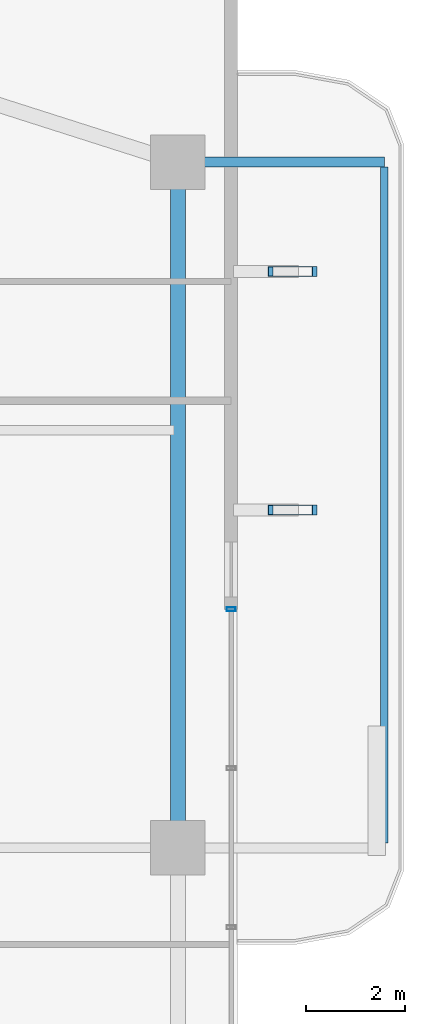
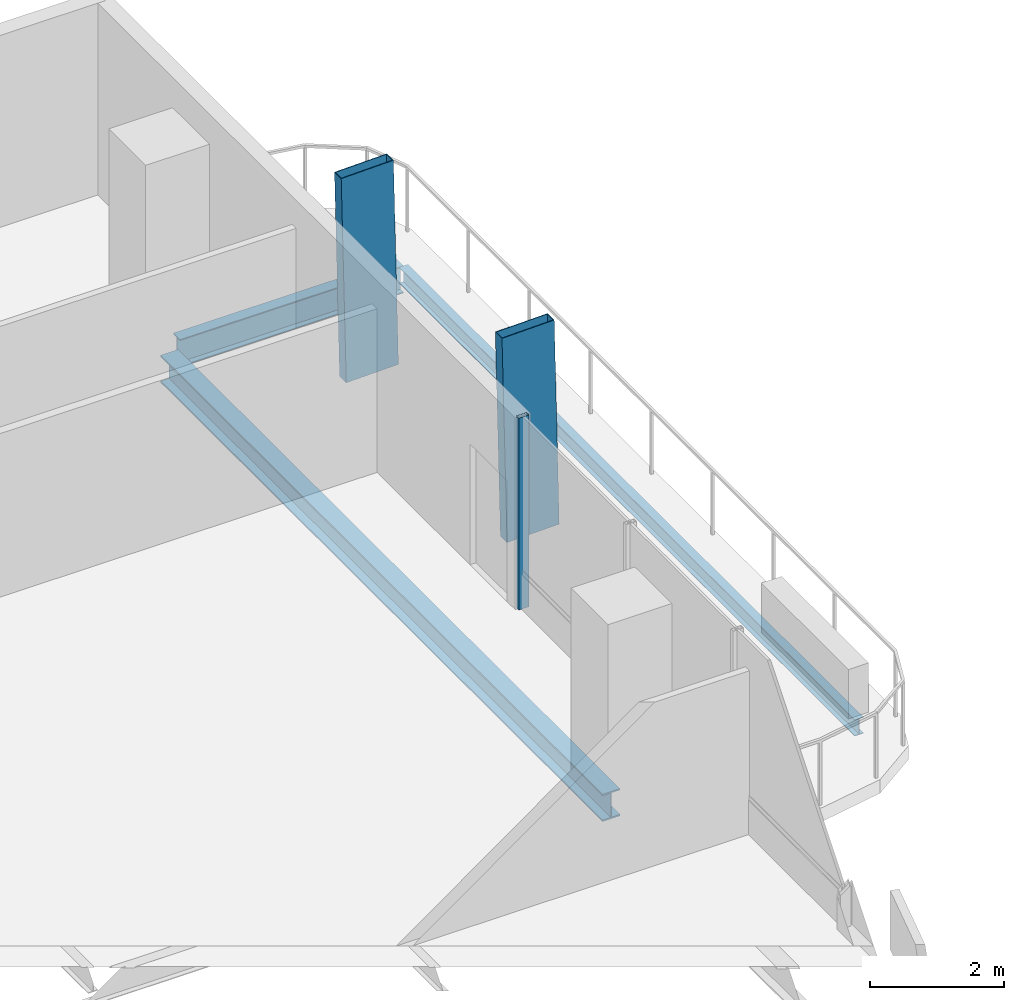
# One storey, part 15 of 25: 3 beams, 3 members, 1 element without a shape of its own.
"""IFC4 building model written with IfcOpenShell, lengths in metres."""

import ifcopenshell
import ifcopenshell.guid

model = None  # the IFC model being written
_history = None  # IfcOwnerHistory: only IFC2X3 demands one
_inside = {}  # id of a spatial element -> (the spatial element, [elements in it])
_under = {}  # id of a project, library or spatial element -> (it, [spatial elements below it])
_declared = {}  # id of a project -> (the project, [libraries it declares])
_typed = {}  # id of a type object -> (the type object, [elements of that type])
_made_of = {}  # id of a material, layer set ... -> (it, [elements and type objects made of it])


def new_model(schema):
    """Start an empty IFC model of exactly this schema.

    Asked for "IFC4X3", IfcOpenShell would pick the latest addendum, in which some entities
    have other attributes; the version numbers below select the first issue.
    IFC2X3 requires an IfcOwnerHistory on every rooted entity: one is made here for all.
    """
    global model, _history
    if schema == "IFC4X3":
        model = ifcopenshell.file(schema_version=(4, 3, 0, 0))
    else:
        model = ifcopenshell.file(schema=schema)
    _inside.clear()
    _under.clear()
    _declared.clear()
    _typed.clear()
    _made_of.clear()
    _history = None
    if model.schema == "IFC2X3":
        org = make("IfcOrganization", Name="unknown")
        user = make(
            "IfcPersonAndOrganization",
            ThePerson=make("IfcPerson", FamilyName="unknown"),
            TheOrganization=org,
        )
        app = make(
            "IfcApplication",
            ApplicationDeveloper=org,
            Version="unknown",
            ApplicationFullName="unknown",
            ApplicationIdentifier="unknown",
        )
        _history = make(
            "IfcOwnerHistory",
            OwningUser=user,
            OwningApplication=app,
            ChangeAction="ADDED",
            CreationDate=0,
        )
    return model


def make(cls, **values):
    """One entity of the class cls with the attributes given. An attribute that is None is left unset."""
    return model.create_entity(
        cls, **{name: value for name, value in values.items() if value is not None}
    )


def rooted(cls, **values):
    """An entity with a GlobalId (a new one), such as an element, a storey or a relation."""
    return make(cls, GlobalId=ifcopenshell.guid.new(), OwnerHistory=_history, **values)


def si_unit(unit_type, name, prefix=None):
    """IfcSIUnit, for example si_unit("LENGTHUNIT", "METRE", prefix="MILLI")."""
    return make("IfcSIUnit", UnitType=unit_type, Prefix=prefix, Name=name)


def assignment(units):
    """IfcUnitAssignment: the units of a project."""
    return None if units is None else make("IfcUnitAssignment", Units=units)


def point(xyz):
    """IfcCartesianPoint."""
    return None if xyz is None else make("IfcCartesianPoint", Coordinates=xyz)


def direction(xyz):
    """IfcDirection."""
    return None if xyz is None else make("IfcDirection", DirectionRatios=xyz)


def frame(location, z_axis=None, x_axis=None):
    """IfcAxis2Placement3D, a coordinate frame: its origin and axes. An axis left out is left unset."""
    return make(
        "IfcAxis2Placement3D",
        Location=point(location),
        Axis=direction(z_axis),
        RefDirection=direction(x_axis),
    )


def frame_2d(location, x_axis=None):
    """IfcAxis2Placement2D, a coordinate frame in the plane: its origin and x axis."""
    return make(
        "IfcAxis2Placement2D", Location=point(location), RefDirection=direction(x_axis)
    )


def origin():
    """The frame at (0, 0, 0) with its axes left unset."""
    return frame((0.0, 0.0, 0.0))


def origin_2d():
    """The frame at (0, 0) in the plane with its x axis left unset."""
    return frame_2d((0.0, 0.0))


def place(relative_to, where):
    """IfcLocalPlacement: puts the frame where relative to a parent placement (None: the world)."""
    return make(
        "IfcLocalPlacement", PlacementRelTo=relative_to, RelativePlacement=where
    )


def context(
    kind, dimensions, precision=None, world=None, true_north=None, identifier=None
):
    """IfcGeometricRepresentationContext, for example the 3D "Model" context."""
    return make(
        "IfcGeometricRepresentationContext",
        ContextIdentifier=identifier,
        ContextType=kind,
        CoordinateSpaceDimension=dimensions,
        Precision=precision,
        WorldCoordinateSystem=world,
        TrueNorth=true_north,
    )


def subcontext(parent, identifier, kind, view, scale=None):
    """IfcGeometricRepresentationSubContext, for example "Body" below "Model"."""
    return make(
        "IfcGeometricRepresentationSubContext",
        ContextIdentifier=identifier,
        ContextType=kind,
        ParentContext=parent,
        TargetScale=scale,
        TargetView=view,
    )


def project(units=None, contexts=None):
    """IfcProject with its units and contexts."""
    return rooted(
        "IfcProject",
        Name="project",
        RepresentationContexts=contexts,
        UnitsInContext=assignment(units),
    )


def spatial(cls, under=None, at=None, **own):
    """A site, building, storey or space (cls), placed at a placement, below another one or the project."""
    s = rooted(cls, ObjectPlacement=at, **own)
    if under is not None:
        _under.setdefault(under.id(), (under, []))[1].append(s)
    return s


def profile(cls, at=None, kind="AREA", **sizes):
    """A parametric profile (cls). Its sizes go by their IFC names, for example OverallWidth=200.0."""
    return make(cls, ProfileType=kind, Position=at, **sizes)


def hollow_rectangle(**sizes):
    """IfcRectangleHollowProfileDef."""
    return profile("IfcRectangleHollowProfileDef", **sizes)


def i_section(**sizes):
    """IfcIShapeProfileDef."""
    return profile("IfcIShapeProfileDef", **sizes)


def extrude(swept, where, along, depth):
    """IfcExtrudedAreaSolid: the profile swept, set in the frame where, extruded along a direction by depth."""
    return make(
        "IfcExtrudedAreaSolid",
        SweptArea=swept,
        Position=where,
        ExtrudedDirection=direction(along),
        Depth=depth,
    )


def shape(context_of_items, identifier, shape_type, items):
    """IfcShapeRepresentation: the items that make up one representation, for example the "Body"."""
    return make(
        "IfcShapeRepresentation",
        ContextOfItems=context_of_items,
        RepresentationIdentifier=identifier,
        RepresentationType=shape_type,
        Items=items,
    )


def material(Name=None, Category=None):
    """IfcMaterial."""
    return make("IfcMaterial", Name=Name, Category=Category)


def layer(
    of_material, thickness, ventilated=None, Name=None, Category=None, Priority=None
):
    """IfcMaterialLayer: one layer of a wall or slab, of a material (None: an air gap)."""
    return make(
        "IfcMaterialLayer",
        Material=of_material,
        LayerThickness=thickness,
        IsVentilated=ventilated,
        Name=Name,
        Category=Category,
        Priority=Priority,
    )


def layer_set(layers, Name=None):
    """IfcMaterialLayerSet."""
    return make("IfcMaterialLayerSet", MaterialLayers=layers, LayerSetName=Name)


def material_profile(
    of_material, cross_section, Name=None, Category=None, Priority=None
):
    """IfcMaterialProfile: a cross section and its material."""
    return make(
        "IfcMaterialProfile",
        Name=Name,
        Material=of_material,
        Profile=cross_section,
        Priority=Priority,
        Category=Category,
    )


def profile_set(profiles, Name=None, composite=None):
    """IfcMaterialProfileSet."""
    return make(
        "IfcMaterialProfileSet",
        Name=Name,
        MaterialProfiles=profiles,
        CompositeProfile=composite,
    )


def made_of(thing, what):
    """Note that an element or type object is made of a material, layer set ...; save() writes the relation."""
    if what is not None:
        _made_of.setdefault(what.id(), (what, []))[1].append(thing)
    return thing


def type_object(cls, material=None, **own):
    """A type object (cls), such as IfcWallType, which elements share."""
    return made_of(rooted(cls, **own), material)


def element(
    cls,
    number,
    at=None,
    inside=None,
    cuts=None,
    type_object=None,
    material=None,
    context=None,
    identifier="Body",
    shape_type=None,
    held_by="IfcProductDefinitionShape",
    body=None,
    shapes=None,
    **own,
):
    """One element of the class cls, such as IfcWall. Its Tag is "e" and its number.

    at: its placement. inside: the storey or other place that contains it. cuts: it is an
    opening in that element (IfcRelVoidsElement). A single representation is given by context,
    identifier, shape_type and body (its items); several are given by shapes. held_by: the class
    of the entity that holds the representations. save() writes the other relations.
    """
    e = rooted(cls, Tag="e%d" % number, ObjectPlacement=at, **own)
    if body is not None:
        shapes = [shape(context, identifier, shape_type, body)]
    if shapes is not None:
        e.Representation = make(held_by, Representations=shapes)
    if inside is not None:
        _inside.setdefault(inside.id(), (inside, []))[1].append(e)
    if cuts is not None:
        rooted(
            "IfcRelVoidsElement", RelatingBuildingElement=cuts, RelatedOpeningElement=e
        )
    if type_object is not None:
        _typed.setdefault(type_object.id(), (type_object, []))[1].append(e)
    return made_of(e, material)


def aggregate(whole, parts):
    """IfcRelAggregates: a whole, such as a stair, and the parts it consists of."""
    return rooted("IfcRelAggregates", RelatingObject=whole, RelatedObjects=parts)


def save(model, path):
    """Write the relations noted so far, then the file.

    IfcRelAggregates (storeys below a building ...), IfcRelContainedInSpatialStructure (elements
    in a storey), IfcRelDefinesByType, IfcRelAssociatesMaterial and IfcRelDeclares: one each for
    every whole, place, type object, material and project.
    """
    for whole, parts in _under.values():
        aggregate(whole, parts)
    for where, things in _inside.values():
        rooted(
            "IfcRelContainedInSpatialStructure",
            RelatedElements=things,
            RelatingStructure=where,
        )
    for kind, things in _typed.values():
        rooted("IfcRelDefinesByType", RelatedObjects=things, RelatingType=kind)
    for what, things in _made_of.values():
        rooted("IfcRelAssociatesMaterial", RelatedObjects=things, RelatingMaterial=what)
    for by, libraries in _declared.values():
        rooted("IfcRelDeclares", RelatingContext=by, RelatedDefinitions=libraries)
    model.write(path)


model = new_model("IFC4")

# Units and contexts
model_context = context("Model", 3, precision=1e-05, world=origin(), true_north=direction((0.0, 1.0)))
body_context = subcontext(model_context, "Body", "Model", "MODEL_VIEW")
ifc_project = project(units=[si_unit("LENGTHUNIT", "METRE"), si_unit("AREAUNIT", "SQUARE_METRE"), si_unit("VOLUMEUNIT", "CUBIC_METRE"), si_unit("PLANEANGLEUNIT", "RADIAN"), si_unit("MASSUNIT", "GRAM", prefix="KILO")], contexts=[model_context])

# Site, building, storey
site_placement = place(None, origin())
site = spatial("IfcSite", under=ifc_project, at=site_placement, CompositionType="ELEMENT")
building_placement = place(site_placement, origin())
building = spatial("IfcBuilding", under=site, at=building_placement, Name="Belovzor Exchange Tower", CompositionType="ELEMENT")
storey_placement = place(building_placement, frame((0.0, 0.0, 164.550048828125)))
storey = spatial("IfcBuildingStorey", under=building, at=storey_placement, Name="L40", CompositionType="ELEMENT", Elevation=164.550048828125)

# Beams
ifc_material_1 = material(Name="Steel S355", Category="steel")
ifc_material_profile_1 = material_profile(ifc_material_1, i_section(OverallWidth=0.199951171875, OverallDepth=0.5, WebThickness=0.01025390625, FlangeThickness=0.01611328125, at=origin_2d()))
ifc_profile_set_1 = profile_set([ifc_material_profile_1], Name="Steel S355")
beam_type_1 = type_object("IfcBeamType", Name="Planted Balcony Cantilever Beam IPE 500", PredefinedType="BEAM", material=ifc_profile_set_1)
beam_1_placement = place(storey_placement, frame((52.202880859375, 42.60009765625, -0.505126953125), z_axis=(1.0, 0.0, 0.0), x_axis=(0.0, 1.0, 0.0)))
element("IfcBeam", 1, at=beam_1_placement, inside=storey, type_object=beam_type_1, Name="BC-500 Planted Balcony Cantilever Beam IPE 500", PredefinedType="BEAM", context=body_context, shape_type="SweptSolid", body=[
    extrude(i_section(OverallWidth=0.199951171875, OverallDepth=0.5, WebThickness=0.01025390625, FlangeThickness=0.01611328125, at=origin_2d()), origin(), (0.0, 0.0, 1.0), 3.85009765625),
])
ifc_material_2 = material(Name="Steel S355", Category="steel")
ifc_material_profile_2 = material_profile(ifc_material_2, i_section(OverallWidth=0.14990234375, OverallDepth=0.300048828125, WebThickness=0.007080078125, FlangeThickness=0.0107421875, at=origin_2d()))
ifc_profile_set_2 = profile_set([ifc_material_profile_2], Name="Steel S355")
beam_type_2 = type_object("IfcBeamType", Name="Planted Balcony Fascia Edge Beam IPE 300", PredefinedType="BEAM", material=ifc_profile_set_2)
beam_2_placement = place(storey_placement, frame((56.052978515625, 28.89990234375, -0.405029296875), z_axis=(0.0, 1.0, 0.0), x_axis=(-1.0, 0.0, 0.0)))
element("IfcBeam", 2, at=beam_2_placement, inside=storey, type_object=beam_type_2, Name="BC-300 Planted Balcony Fascia Edge Beam IPE 300", PredefinedType="BEAM", context=body_context, shape_type="SweptSolid", body=[
    extrude(i_section(OverallWidth=0.14990234375, OverallDepth=0.300048828125, WebThickness=0.007080078125, FlangeThickness=0.0107421875, at=origin_2d()), origin(), (0.0, 0.0, 1.0), 13.60009765625),
])

# Members
ifc_material_3 = material(Name="Extruded Architectural Terracotta on Steel S355 Carrier", Category="masonry")
ifc_material_profile_3 = material_profile(ifc_material_3, hollow_rectangle(XDim=0.199951171875, YDim=0.89990234375, WallThickness=0.011962890625, at=origin_2d()))
ifc_profile_set_3 = profile_set([ifc_material_profile_3], Name="Extruded Architectural Terracotta on Steel S355 Carrier")
member_type_1 = type_object("IfcMemberType", Name="Sweeping Terracotta Baguette Fin Assembly 1250", PredefinedType="USERDEFINED", material=ifc_profile_set_3)
for number, where, z_axis, x_axis, name in (
    (3, (54.2470703125, 35.60009765625, -0.255126953125), (-0.023235912336, 0.0, 0.999730009742), (0.0, -1.0, 0.0), "FIN-TC125 Terracotta Facade Fin L40 E3"),
    (4, (54.2470703125, 40.39990234375, -0.255126953125), (-0.023235912336, 0.0, 0.999730009742), (0.0, -1.0, 0.0), "FIN-TC125 Terracotta Facade Fin L40 E4"),
):
    element("IfcMember", number, at=place(storey_placement, frame(where, z_axis=z_axis, x_axis=x_axis)), inside=storey, type_object=member_type_1, Name=name, ObjectType="FIN", PredefinedType="USERDEFINED", context=body_context, shape_type="SweptSolid", body=[
        extrude(hollow_rectangle(XDim=0.199951171875, YDim=0.89990234375, WallThickness=0.011962890625, at=origin_2d()), origin(), (0.0, 0.0, 1.0), 3.7509765625),
    ])

# Curtain wall, member
ifc_material_4 = material(Name="Anodised Aluminium Framing", Category="aluminium")
ifc_layer = layer(ifc_material_4, 0.179931640625)
ifc_layer_set = layer_set([ifc_layer], Name="Anodised Aluminium Framing")
curtain_wall_type = type_object("IfcCurtainWallType", Name="Recessed Loggia Low-Iron Triple-Glazed Curtain Wall", PredefinedType="NOTDEFINED", material=ifc_layer_set)
curtain_wall_placement = place(storey_placement, origin())
curtain_wall = element("IfcCurtainWall", 5, at=curtain_wall_placement, inside=storey, type_object=curtain_wall_type, Name="CW3 Recessed Loggia Low-Iron Triple-Glazed Curtain Wall L40", PredefinedType="NOTDEFINED")
ifc_material_5 = material(Name="Steel S355", Category="steel")
ifc_material_profile_4 = material_profile(ifc_material_5, hollow_rectangle(XDim=0.074951171875, YDim=0.179931640625, WallThickness=0.0048828125, at=origin_2d()))
ifc_profile_set_4 = profile_set([ifc_material_profile_4], Name="Steel S355")
member_type_2 = type_object("IfcMemberType", Name="Thermally Broken Curtain Wall Mullion 180x75", PredefinedType="MULLION", material=ifc_profile_set_4)
member_placement = place(storey_placement, frame((52.969970703125, 33.60009765625, 0.0), z_axis=(0.0, 0.0, 1.0), x_axis=(0.0, -1.0, 0.0)))
member = element("IfcMember", 6, at=member_placement, type_object=member_type_2, Name="CW-M180 Curtain Wall Mullion 1", PredefinedType="MULLION", context=body_context, shape_type="SweptSolid", body=[
    extrude(hollow_rectangle(XDim=0.074951171875, YDim=0.179931640625, WallThickness=0.0048828125, at=origin_2d()), origin(), (0.0, 0.0, 1.0), 3.494873046875),
])
aggregate(curtain_wall, [member])

# Beam
ifc_material_6 = material(Name="Steel S355", Category="steel")
ifc_material_profile_5 = material_profile(ifc_material_6, i_section(OverallWidth=0.300048828125, OverallDepth=0.5, WebThickness=0.014404296875, FlangeThickness=0.028076171875, at=origin_2d()))
ifc_profile_set_5 = profile_set([ifc_material_profile_5], Name="Steel S355")
beam_type_3 = type_object("IfcBeamType", Name="Zone 3 Waist Primary Girder HEB 500", PredefinedType="BEAM", material=ifc_profile_set_5)
beam_3_placement = place(storey_placement, frame((51.89990234375, 29.10205078125, -0.505126953125), z_axis=(0.0, 1.0, 0.0), x_axis=(-1.0, 0.0, 0.0)))
element("IfcBeam", 7, at=beam_3_placement, inside=storey, type_object=beam_type_3, Name="FG-Z3 Zone 3 Waist Primary Girder HEB 500", PredefinedType="BEAM", context=body_context, shape_type="SweptSolid", body=[
    extrude(i_section(OverallWidth=0.300048828125, OverallDepth=0.5, WebThickness=0.014404296875, FlangeThickness=0.028076171875, at=origin_2d()), origin(), (0.0, 0.0, 1.0), 13.195068359375),
])

save(model, "model.ifc")
